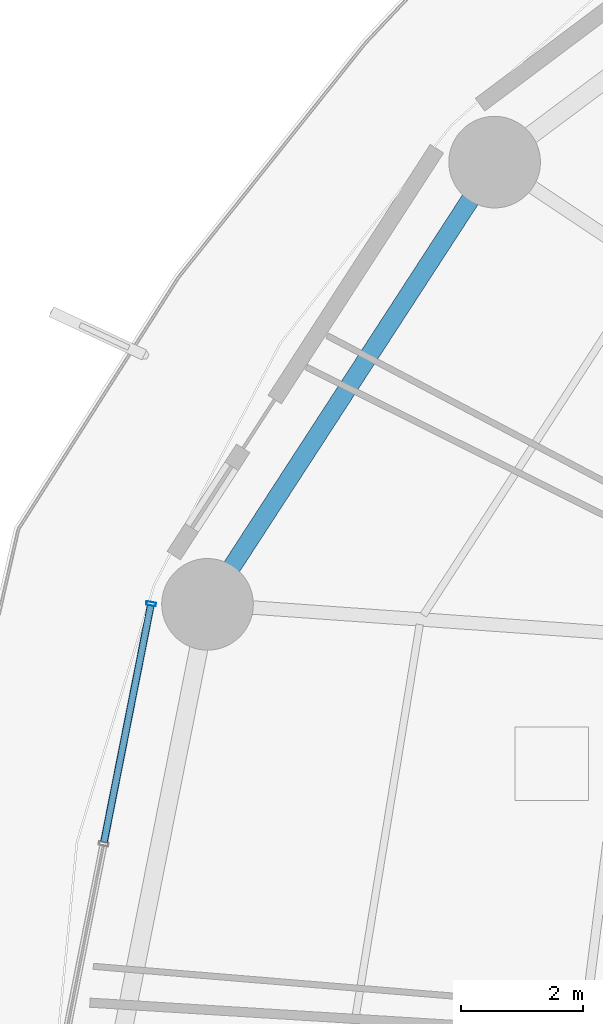
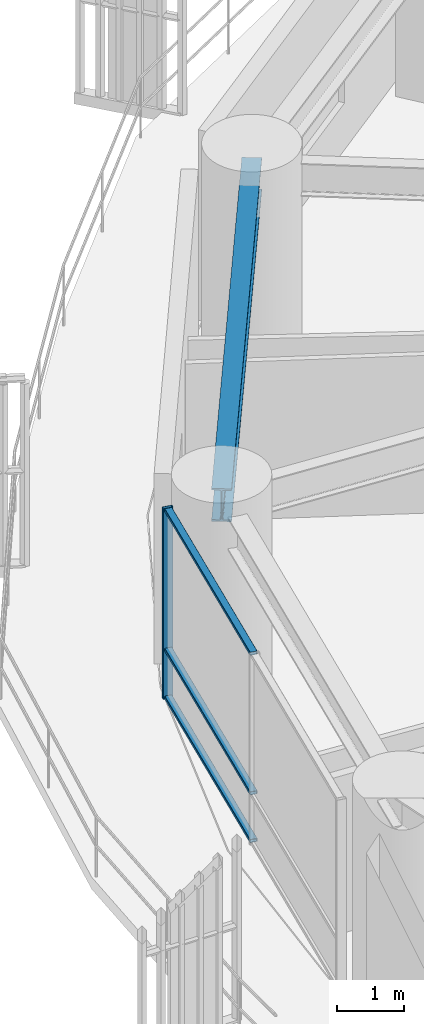
# One storey, part 15 of 31: 4 members, 1 beam, 1 element without a shape of its own.
"""IFC4 building model written with IfcOpenShell, lengths in metres."""

from ifc_helpers import new_model, si_unit, direction, frame, origin, origin_2d, place, context, subcontext, project, spatial, hollow_rectangle, i_section, extrude, material, layer, layer_set, material_profile, profile_set, type_object, element, aggregate, save


model = new_model("IFC4")

# Units and contexts
model_context = context("Model", 3, precision=1e-05, world=origin(), true_north=direction((0.0, 1.0)))
body_context = subcontext(model_context, "Body", "Model", "MODEL_VIEW")
ifc_project = project(units=[si_unit("LENGTHUNIT", "METRE"), si_unit("AREAUNIT", "SQUARE_METRE"), si_unit("VOLUMEUNIT", "CUBIC_METRE"), si_unit("PLANEANGLEUNIT", "RADIAN"), si_unit("MASSUNIT", "GRAM", prefix="KILO")], contexts=[model_context])

# Site, building, storey
site_placement = place(None, origin())
site = spatial("IfcSite", under=ifc_project, at=site_placement, CompositionType="ELEMENT")
building_placement = place(site_placement, origin())
building = spatial("IfcBuilding", under=site, at=building_placement, Name="Kelanora Arch Commons", CompositionType="ELEMENT")
storey_placement = place(building_placement, frame((0.0, 0.0, 63.75)))
storey = spatial("IfcBuildingStorey", under=building, at=storey_placement, Name="L16", CompositionType="ELEMENT", Elevation=63.75)

# Beam
ifc_material_1 = material(Name="Steel S355", Category="steel")
ifc_material_profile_1 = material_profile(ifc_material_1, i_section(OverallWidth=0.300048828125, OverallDepth=0.60009765625, WebThickness=0.015380859375, FlangeThickness=0.030029296875, FilletRadius=0.027099609375, at=origin_2d()), Name="HEB600")
ifc_profile_set_1 = profile_set([ifc_material_profile_1], Name="Steel S355")
beam_type = type_object("IfcBeamType", Name="BM-SPN-Z1", PredefinedType="SPANDREL", material=ifc_profile_set_1)
beam_placement = place(storey_placement, frame((53.255615234375, 73.478271484375, 3.18994140625), z_axis=(-0.544585813928, -0.838705127722, 0.0), x_axis=(0.838705127722, -0.544585813928, 0.0)))
element("IfcBeam", 1, at=beam_placement, inside=storey, type_object=beam_type, Name="Perimeter Spandrel Beam BS-14 L16", PredefinedType="SPANDREL", context=body_context, shape_type="SweptSolid", body=[
    extrude(i_section(OverallWidth=0.300048828125, OverallDepth=0.60009765625, WebThickness=0.015380859375, FlangeThickness=0.030029296875, FilletRadius=0.027099609375, at=origin_2d()), origin(), (0.0, 0.0, 1.0), 8.63525390625),
])

# Curtain wall, members
ifc_material_2 = material(Name="Terracotta ceramic-fritted low-E glass and aluminium", Category="masonry")
ifc_layer = layer(ifc_material_2, 0.159912109375)
ifc_layer_set = layer_set([ifc_layer], Name="Terracotta ceramic-fritted low-E glass and aluminium")
curtain_wall_type = type_object("IfcCurtainWallType", Name="CW-SYS-01", PredefinedType="NOTDEFINED", material=ifc_layer_set)
curtain_wall_placement = place(storey_placement, origin())
curtain_wall = element("IfcCurtainWall", 2, at=curtain_wall_placement, inside=storey, type_object=curtain_wall_type, Name="Unitised Curtain Wall L16-B08", PredefinedType="NOTDEFINED")
ifc_material_3 = material(Name="Powder-coated aluminium terracotta", Category="masonry")
ifc_material_profile_2 = material_profile(ifc_material_3, hollow_rectangle(XDim=0.159912109375, YDim=0.06005859375, WallThickness=0.0048828125, InnerFilletRadius=0.0048828125, OuterFilletRadius=0.010009765625, at=origin_2d()), Name="CWM160x60")
ifc_profile_set_2 = profile_set([ifc_material_profile_2], Name="Powder-coated aluminium terracotta")
member_type_1 = type_object("IfcMemberType", Name="CWM-STD", PredefinedType="MULLION", material=ifc_profile_set_2)
member_1_placement = place(storey_placement, frame((47.628173828125, 66.243896484375, 0.0), z_axis=(0.0, 0.0, 1.0), x_axis=(0.981052110579, -0.193744048498, 0.0)))
member_1 = element("IfcMember", 3, at=member_1_placement, type_object=member_type_1, Name="CW-01 mullion 1", PredefinedType="MULLION", context=body_context, shape_type="SweptSolid", body=[
    extrude(hollow_rectangle(XDim=0.159912109375, YDim=0.06005859375, WallThickness=0.0048828125, InnerFilletRadius=0.0048828125, OuterFilletRadius=0.010009765625, at=origin_2d()), origin(), (0.0, 0.0, 1.0), 3.47509765625),
])
ifc_material_profile_3 = material_profile(ifc_material_3, hollow_rectangle(XDim=0.1201171875, YDim=0.06005859375, WallThickness=0.0048828125, InnerFilletRadius=0.0048828125, OuterFilletRadius=0.010009765625, at=origin_2d()), Name="CWT120x60")
ifc_profile_set_3 = profile_set([ifc_material_profile_3], Name="Powder-coated aluminium terracotta")
member_type_2 = type_object("IfcMemberType", Name="CWT-STD", PredefinedType="USERDEFINED", material=ifc_profile_set_3)
member_2_placement = place(storey_placement, frame((47.622314453125, 66.21435546875, 0.030029296875), z_axis=(-0.193725436624, -0.98105578598, 0.0), x_axis=(0.98105578598, -0.193725436624, 0.0)))
member_2 = element("IfcMember", 4, at=member_2_placement, type_object=member_type_2, Name="CW-01 transom 1.1", ObjectType="TRANSOM", PredefinedType="USERDEFINED", context=body_context, shape_type="SweptSolid", body=[
    extrude(hollow_rectangle(XDim=0.1201171875, YDim=0.06005859375, WallThickness=0.0048828125, InnerFilletRadius=0.0048828125, OuterFilletRadius=0.010009765625, at=origin_2d()), origin(), (0.0, 0.0, 1.0), 3.9482421875),
])
member_3_placement = place(storey_placement, frame((47.622314453125, 66.21435546875, 0.89990234375), z_axis=(-0.193725436624, -0.98105578598, 0.0), x_axis=(0.98105578598, -0.193725436624, 0.0)))
member_3 = element("IfcMember", 5, at=member_3_placement, type_object=member_type_2, Name="CW-01 transom 1.2", ObjectType="TRANSOM", PredefinedType="USERDEFINED", context=body_context, shape_type="SweptSolid", body=[
    extrude(hollow_rectangle(XDim=0.1201171875, YDim=0.06005859375, WallThickness=0.0048828125, InnerFilletRadius=0.0048828125, OuterFilletRadius=0.010009765625, at=origin_2d()), origin(), (0.0, 0.0, 1.0), 3.9482421875),
])
member_4_placement = place(storey_placement, frame((47.622314453125, 66.21435546875, 3.445068359375), z_axis=(-0.193725436624, -0.98105578598, 0.0), x_axis=(0.98105578598, -0.193725436624, 0.0)))
member_4 = element("IfcMember", 6, at=member_4_placement, type_object=member_type_2, Name="CW-01 transom 1.3", ObjectType="TRANSOM", PredefinedType="USERDEFINED", context=body_context, shape_type="SweptSolid", body=[
    extrude(hollow_rectangle(XDim=0.1201171875, YDim=0.06005859375, WallThickness=0.0048828125, InnerFilletRadius=0.0048828125, OuterFilletRadius=0.010009765625, at=origin_2d()), origin(), (0.0, 0.0, 1.0), 3.9482421875),
])
aggregate(curtain_wall, [member_1, member_2, member_3, member_4])

save(model, "model.ifc")
